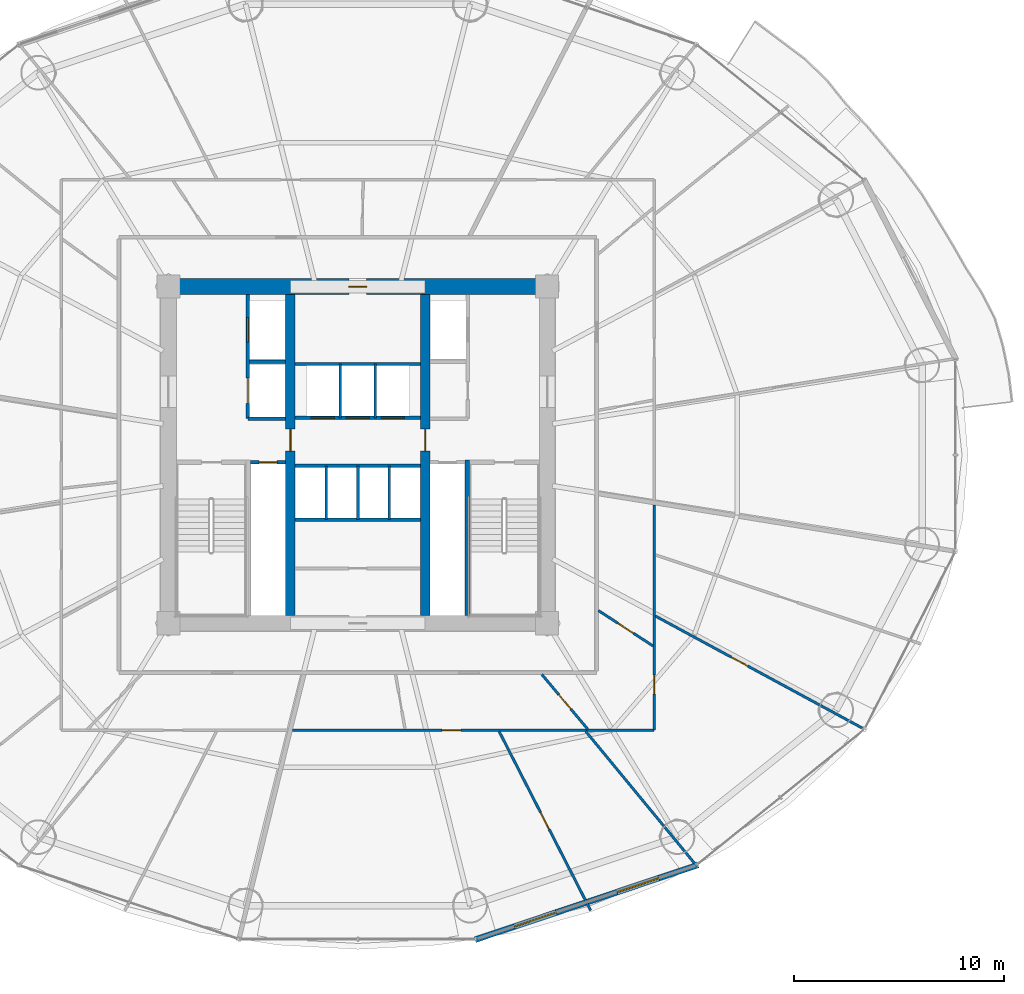
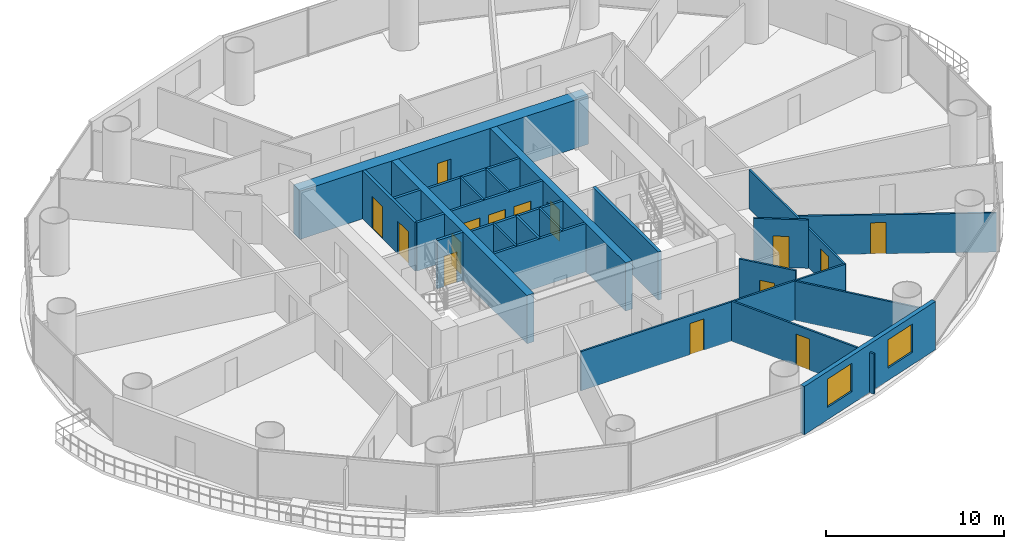
# One storey, part 24 of 30: 25 walls, 15 doors, 2 windows, 17 openings.
"""IFC4 building model written with IfcOpenShell, lengths in metres."""

import ifcopenshell
import ifcopenshell.guid

model = None  # the IFC model being written
_history = None  # IfcOwnerHistory: only IFC2X3 demands one
_inside = {}  # id of a spatial element -> (the spatial element, [elements in it])
_under = {}  # id of a project, library or spatial element -> (it, [spatial elements below it])
_declared = {}  # id of a project -> (the project, [libraries it declares])
_typed = {}  # id of a type object -> (the type object, [elements of that type])
_made_of = {}  # id of a material, layer set ... -> (it, [elements and type objects made of it])


def new_model(schema):
    """Start an empty IFC model of exactly this schema.

    Asked for "IFC4X3", IfcOpenShell would pick the latest addendum, in which some entities
    have other attributes; the version numbers below select the first issue.
    IFC2X3 requires an IfcOwnerHistory on every rooted entity: one is made here for all.
    """
    global model, _history
    if schema == "IFC4X3":
        model = ifcopenshell.file(schema_version=(4, 3, 0, 0))
    else:
        model = ifcopenshell.file(schema=schema)
    _inside.clear()
    _under.clear()
    _declared.clear()
    _typed.clear()
    _made_of.clear()
    _history = None
    if model.schema == "IFC2X3":
        org = make("IfcOrganization", Name="unknown")
        user = make(
            "IfcPersonAndOrganization",
            ThePerson=make("IfcPerson", FamilyName="unknown"),
            TheOrganization=org,
        )
        app = make(
            "IfcApplication",
            ApplicationDeveloper=org,
            Version="unknown",
            ApplicationFullName="unknown",
            ApplicationIdentifier="unknown",
        )
        _history = make(
            "IfcOwnerHistory",
            OwningUser=user,
            OwningApplication=app,
            ChangeAction="ADDED",
            CreationDate=0,
        )
    return model


def make(cls, **values):
    """One entity of the class cls with the attributes given. An attribute that is None is left unset."""
    return model.create_entity(
        cls, **{name: value for name, value in values.items() if value is not None}
    )


def rooted(cls, **values):
    """An entity with a GlobalId (a new one), such as an element, a storey or a relation."""
    return make(cls, GlobalId=ifcopenshell.guid.new(), OwnerHistory=_history, **values)


def si_unit(unit_type, name, prefix=None):
    """IfcSIUnit, for example si_unit("LENGTHUNIT", "METRE", prefix="MILLI")."""
    return make("IfcSIUnit", UnitType=unit_type, Prefix=prefix, Name=name)


def assignment(units):
    """IfcUnitAssignment: the units of a project."""
    return None if units is None else make("IfcUnitAssignment", Units=units)


def point(xyz):
    """IfcCartesianPoint."""
    return None if xyz is None else make("IfcCartesianPoint", Coordinates=xyz)


def direction(xyz):
    """IfcDirection."""
    return None if xyz is None else make("IfcDirection", DirectionRatios=xyz)


def frame(location, z_axis=None, x_axis=None):
    """IfcAxis2Placement3D, a coordinate frame: its origin and axes. An axis left out is left unset."""
    return make(
        "IfcAxis2Placement3D",
        Location=point(location),
        Axis=direction(z_axis),
        RefDirection=direction(x_axis),
    )


def frame_2d(location, x_axis=None):
    """IfcAxis2Placement2D, a coordinate frame in the plane: its origin and x axis."""
    return make(
        "IfcAxis2Placement2D", Location=point(location), RefDirection=direction(x_axis)
    )


def origin():
    """The frame at (0, 0, 0) with its axes left unset."""
    return frame((0.0, 0.0, 0.0))


def place(relative_to, where):
    """IfcLocalPlacement: puts the frame where relative to a parent placement (None: the world)."""
    return make(
        "IfcLocalPlacement", PlacementRelTo=relative_to, RelativePlacement=where
    )


def context(
    kind, dimensions, precision=None, world=None, true_north=None, identifier=None
):
    """IfcGeometricRepresentationContext, for example the 3D "Model" context."""
    return make(
        "IfcGeometricRepresentationContext",
        ContextIdentifier=identifier,
        ContextType=kind,
        CoordinateSpaceDimension=dimensions,
        Precision=precision,
        WorldCoordinateSystem=world,
        TrueNorth=true_north,
    )


def subcontext(parent, identifier, kind, view, scale=None):
    """IfcGeometricRepresentationSubContext, for example "Body" below "Model"."""
    return make(
        "IfcGeometricRepresentationSubContext",
        ContextIdentifier=identifier,
        ContextType=kind,
        ParentContext=parent,
        TargetScale=scale,
        TargetView=view,
    )


def project(units=None, contexts=None):
    """IfcProject with its units and contexts."""
    return rooted(
        "IfcProject",
        Name="project",
        RepresentationContexts=contexts,
        UnitsInContext=assignment(units),
    )


def spatial(cls, under=None, at=None, **own):
    """A site, building, storey or space (cls), placed at a placement, below another one or the project."""
    s = rooted(cls, ObjectPlacement=at, **own)
    if under is not None:
        _under.setdefault(under.id(), (under, []))[1].append(s)
    return s


def profile(cls, at=None, kind="AREA", **sizes):
    """A parametric profile (cls). Its sizes go by their IFC names, for example OverallWidth=200.0."""
    return make(cls, ProfileType=kind, Position=at, **sizes)


def rectangle(**sizes):
    """IfcRectangleProfileDef."""
    return profile("IfcRectangleProfileDef", **sizes)


def extrude(swept, where, along, depth):
    """IfcExtrudedAreaSolid: the profile swept, set in the frame where, extruded along a direction by depth."""
    return make(
        "IfcExtrudedAreaSolid",
        SweptArea=swept,
        Position=where,
        ExtrudedDirection=direction(along),
        Depth=depth,
    )


def shape(context_of_items, identifier, shape_type, items):
    """IfcShapeRepresentation: the items that make up one representation, for example the "Body"."""
    return make(
        "IfcShapeRepresentation",
        ContextOfItems=context_of_items,
        RepresentationIdentifier=identifier,
        RepresentationType=shape_type,
        Items=items,
    )


def source(mapping_origin, context_of_items, identifier, shape_type, items):
    """IfcRepresentationMap: a shape defined once, which mapped items show again and again."""
    return make(
        "IfcRepresentationMap",
        MappingOrigin=mapping_origin,
        MappedRepresentation=shape(context_of_items, identifier, shape_type, items),
    )


def transform(
    local_origin,
    x_axis=None,
    y_axis=None,
    z_axis=None,
    scale=None,
    scale2=None,
    scale3=None,
    uniform=True,
):
    """IfcCartesianTransformationOperator3D, or its non-uniform kind. x_axis, y_axis, z_axis: its Axis1, 2, 3."""
    if uniform:
        return make(
            "IfcCartesianTransformationOperator3D",
            Axis1=direction(x_axis),
            Axis2=direction(y_axis),
            LocalOrigin=point(local_origin),
            Scale=scale,
            Axis3=direction(z_axis),
        )
    return make(
        "IfcCartesianTransformationOperator3DnonUniform",
        Axis1=direction(x_axis),
        Axis2=direction(y_axis),
        LocalOrigin=point(local_origin),
        Scale=scale,
        Axis3=direction(z_axis),
        Scale2=scale2,
        Scale3=scale3,
    )


def mapped(mapping_source, mapping_target):
    """IfcMappedItem: shows the shape of a source again, moved by a transform."""
    return make(
        "IfcMappedItem", MappingSource=mapping_source, MappingTarget=mapping_target
    )


def material(Name=None, Category=None):
    """IfcMaterial."""
    return make("IfcMaterial", Name=Name, Category=Category)


def layer(
    of_material, thickness, ventilated=None, Name=None, Category=None, Priority=None
):
    """IfcMaterialLayer: one layer of a wall or slab, of a material (None: an air gap)."""
    return make(
        "IfcMaterialLayer",
        Material=of_material,
        LayerThickness=thickness,
        IsVentilated=ventilated,
        Name=Name,
        Category=Category,
        Priority=Priority,
    )


def layer_set(layers, Name=None):
    """IfcMaterialLayerSet."""
    return make("IfcMaterialLayerSet", MaterialLayers=layers, LayerSetName=Name)


def made_of(thing, what):
    """Note that an element or type object is made of a material, layer set ...; save() writes the relation."""
    if what is not None:
        _made_of.setdefault(what.id(), (what, []))[1].append(thing)
    return thing


def type_object(cls, material=None, **own):
    """A type object (cls), such as IfcWallType, which elements share."""
    return made_of(rooted(cls, **own), material)


def element(
    cls,
    number,
    at=None,
    inside=None,
    cuts=None,
    type_object=None,
    material=None,
    context=None,
    identifier="Body",
    shape_type=None,
    held_by="IfcProductDefinitionShape",
    body=None,
    shapes=None,
    **own,
):
    """One element of the class cls, such as IfcWall. Its Tag is "e" and its number.

    at: its placement. inside: the storey or other place that contains it. cuts: it is an
    opening in that element (IfcRelVoidsElement). A single representation is given by context,
    identifier, shape_type and body (its items); several are given by shapes. held_by: the class
    of the entity that holds the representations. save() writes the other relations.
    """
    e = rooted(cls, Tag="e%d" % number, ObjectPlacement=at, **own)
    if body is not None:
        shapes = [shape(context, identifier, shape_type, body)]
    if shapes is not None:
        e.Representation = make(held_by, Representations=shapes)
    if inside is not None:
        _inside.setdefault(inside.id(), (inside, []))[1].append(e)
    if cuts is not None:
        rooted(
            "IfcRelVoidsElement", RelatingBuildingElement=cuts, RelatedOpeningElement=e
        )
    if type_object is not None:
        _typed.setdefault(type_object.id(), (type_object, []))[1].append(e)
    return made_of(e, material)


def fill(opening, filler):
    """IfcRelFillsElement: the door or window that sits in an opening."""
    return rooted(
        "IfcRelFillsElement",
        RelatingOpeningElement=opening,
        RelatedBuildingElement=filler,
    )


def aggregate(whole, parts):
    """IfcRelAggregates: a whole, such as a stair, and the parts it consists of."""
    return rooted("IfcRelAggregates", RelatingObject=whole, RelatedObjects=parts)


def save(model, path):
    """Write the relations noted so far, then the file.

    IfcRelAggregates (storeys below a building ...), IfcRelContainedInSpatialStructure (elements
    in a storey), IfcRelDefinesByType, IfcRelAssociatesMaterial and IfcRelDeclares: one each for
    every whole, place, type object, material and project.
    """
    for whole, parts in _under.values():
        aggregate(whole, parts)
    for where, things in _inside.values():
        rooted(
            "IfcRelContainedInSpatialStructure",
            RelatedElements=things,
            RelatingStructure=where,
        )
    for kind, things in _typed.values():
        rooted("IfcRelDefinesByType", RelatedObjects=things, RelatingType=kind)
    for what, things in _made_of.values():
        rooted("IfcRelAssociatesMaterial", RelatedObjects=things, RelatingMaterial=what)
    for by, libraries in _declared.values():
        rooted("IfcRelDeclares", RelatingContext=by, RelatedDefinitions=libraries)
    model.write(path)


model = new_model("IFC4")

# Units and contexts
model_context = context("Model", 3, precision=1e-05, world=origin(), true_north=direction((-0.2419218956, 0.970295726276)))
body_context = subcontext(model_context, "Body", "Model", "MODEL_VIEW")
ifc_project = project(units=[si_unit("LENGTHUNIT", "METRE"), si_unit("AREAUNIT", "SQUARE_METRE"), si_unit("VOLUMEUNIT", "CUBIC_METRE"), si_unit("PLANEANGLEUNIT", "RADIAN"), si_unit("MASSUNIT", "GRAM", prefix="KILO")], contexts=[model_context])

# Site, building, storey
site_placement = place(None, origin())
site = spatial("IfcSite", under=ifc_project, at=site_placement, CompositionType="ELEMENT")
building_placement = place(site_placement, origin())
building = spatial("IfcBuilding", under=site, at=building_placement, Name="Cobrevalo Terracotta Tower", CompositionType="ELEMENT")
storey_placement = place(building_placement, frame((0.0, 0.0, 27.60009765625)))
storey = spatial("IfcBuildingStorey", under=building, at=storey_placement, Name="L06", CompositionType="ELEMENT", Elevation=27.60009765625)

# Wall, opening, door
ifc_material_1 = material(Name="Concrete C60", Category="concrete")
ifc_layer_1 = layer(ifc_material_1, 0.75)
ifc_layer_set_1 = layer_set([ifc_layer_1], Name="Concrete C60")
wall_type_1 = type_object("IfcWallType", Name="Core shear wall 750 mm Concrete C60", PredefinedType="SHEAR", material=ifc_layer_set_1)
wall_1_placement = place(storey_placement, frame((28.625, 34.800048828125, 0.0), z_axis=(0.0, 0.0, 1.0), x_axis=(1.0, 0.0, 0.0)))
wall_1 = element("IfcWall", 1, at=wall_1_placement, inside=storey, type_object=wall_type_1, Name="L06 north core shear wall", PredefinedType="SHEAR", context=body_context, shape_type="SweptSolid", body=[
    extrude(rectangle(XDim=18.75, YDim=0.75, at=frame_2d((9.375, 0.0))), origin(), (0.0, 0.0, 1.0), 3.31982421875),
])
opening_1_placement = place(wall_1_placement, frame((8.949951171875, 0.0, 0.0)))
opening_1 = element("IfcOpeningElement", 2, at=opening_1_placement, cuts=wall_1, Name="Opening ID-22", PredefinedType="OPENING", context=body_context, shape_type="SweptSolid", body=[
    extrude(rectangle(XDim=0.85009765625, YDim=2.10009765625, at=frame_2d((0.425048828125, 1.050048828125))), frame((0.0, 0.385009765625, 0.0), z_axis=(0.0, -1.0, 0.0), x_axis=(1.0, 0.0, 0.0)), (0.0, 0.0, 1.0), 0.77001953125),
])
ifc_material_2 = material(Name="Powder-coated steel", Category="steel")
door_type_1 = type_object("IfcDoorType", Name="Riser shaft & meter closet fire access door 850x2100 EI 60", OperationType="NOTDEFINED", PredefinedType="DOOR", material=ifc_material_2)
shared_shape_1 = source(origin(), body_context, "Body", "SweptSolid", [
    extrude(rectangle(XDim=0.85009765625, YDim=2.10009765625, at=frame_2d((0.425048828125, 1.050048828125))), frame((0.0, 0.02490234375, 0.0), z_axis=(0.0, -1.0, 0.0), x_axis=(1.0, 0.0, 0.0)), (0.0, 0.0, 1.0), 0.050048828125),
])
door_1_placement = place(opening_1_placement, frame((0.85009765625, 0.0, 0.0), z_axis=(0.0, 0.0, 1.0), x_axis=(-1.0, 0.0, 0.0)))
door_1 = element("IfcDoor", 3, at=door_1_placement, inside=storey, type_object=door_type_1, Name="L06 core north service door Floor Electrical Switchroom", OperationType="SINGLE_SWING_LEFT", OverallHeight=2.10009765625, OverallWidth=0.85009765625, PredefinedType="DOOR", context=body_context, shape_type="MappedRepresentation", body=[
    mapped(shared_shape_1, transform((0.0, 0.0, 0.0), scale=1.0)),
])
fill(opening_1, door_1)

# Walls
ifc_material_3 = material(Name="Gypsum board on steel stud", Category="steel")
ifc_layer_2 = layer(ifc_material_3, 0.159912109375)
ifc_layer_set_2 = layer_set([ifc_layer_2], Name="Gypsum board on steel stud")
wall_type_2 = type_object("IfcWallType", Name="Fire-rated corridor acoustic partition wall 160 mm", PredefinedType="PARTITIONING", material=ifc_layer_set_2)
wall_2_placement = place(storey_placement, frame((32.860107421875, 31.219970703125, 0.0), z_axis=(0.0, 0.0, 1.0), x_axis=(1.0, 0.0, 0.0)))
element("IfcWall", 4, at=wall_2_placement, inside=storey, type_object=wall_type_2, Name="L06 interior partition IW-L06-FF1-M", PredefinedType="PARTITIONING", context=body_context, shape_type="SweptSolid", body=[
    extrude(rectangle(XDim=1.71484375, YDim=0.159912109375, at=frame_2d((0.857421875, 0.0))), origin(), (0.0, 0.0, 1.0), 3.31982421875),
])
wall_3_placement = place(storey_placement, frame((32.77001953125, 28.52001953125, 0.0), z_axis=(0.0, 0.0, 1.0), x_axis=(1.0, 0.0, 0.0)))
element("IfcWall", 5, at=wall_3_placement, inside=storey, type_object=wall_type_2, Name="L06 interior partition IW-L06-FF1-S", PredefinedType="PARTITIONING", context=body_context, shape_type="SweptSolid", body=[
    extrude(rectangle(XDim=1.804931640625, YDim=0.159912109375, at=frame_2d((0.90234375, 0.0))), origin(), (0.0, 0.0, 1.0), 3.31982421875),
])

# Wall, openings, doors
wall_4_placement = place(storey_placement, frame((35.02490234375, 28.56005859375, 0.0), z_axis=(0.0, 0.0, 1.0), x_axis=(1.0, 0.0, 0.0)))
wall_4 = element("IfcWall", 6, at=wall_4_placement, inside=storey, type_object=wall_type_2, Name="L06 interior partition IW-L06-LB-S", PredefinedType="PARTITIONING", context=body_context, shape_type="SweptSolid", body=[
    extrude(rectangle(XDim=5.9501953125, YDim=0.159912109375, at=frame_2d((2.97509765625, 0.0))), origin(), (0.0, 0.0, 1.0), 3.31982421875),
])
opening_2_placement = place(wall_4_placement, frame((0.760009765625, 0.0, 0.0)))
opening_2 = element("IfcOpeningElement", 7, at=opening_2_placement, cuts=wall_4, Name="Opening LD-01", PredefinedType="OPENING", context=body_context, shape_type="SweptSolid", body=[
    extrude(rectangle(XDim=1.10009765625, YDim=2.199951171875, at=frame_2d((0.550048828125, 1.10009765625))), frame((0.0, 0.08984375, 0.0), z_axis=(0.0, -1.0, 0.0), x_axis=(1.0, 0.0, 0.0)), (0.0, 0.0, 1.0), 0.179931640625),
])
opening_3_placement = place(wall_4_placement, frame((2.425048828125, 0.0, 0.0)))
opening_3 = element("IfcOpeningElement", 8, at=opening_3_placement, cuts=wall_4, Name="Opening LD-01", PredefinedType="OPENING", context=body_context, shape_type="SweptSolid", body=[
    extrude(rectangle(XDim=1.10009765625, YDim=2.199951171875, at=frame_2d((0.550048828125, 1.10009765625))), frame((0.0, 0.08984375, 0.0), z_axis=(0.0, -1.0, 0.0), x_axis=(1.0, 0.0, 0.0)), (0.0, 0.0, 1.0), 0.179931640625),
])
opening_4_placement = place(wall_4_placement, frame((4.090087890625, 0.0, 0.0)))
opening_4 = element("IfcOpeningElement", 9, at=opening_4_placement, cuts=wall_4, Name="Opening LD-01", PredefinedType="OPENING", context=body_context, shape_type="SweptSolid", body=[
    extrude(rectangle(XDim=1.10009765625, YDim=2.199951171875, at=frame_2d((0.550048828125, 1.10009765625))), frame((0.0, 0.08984375, 0.0), z_axis=(0.0, -1.0, 0.0), x_axis=(1.0, 0.0, 0.0)), (0.0, 0.0, 1.0), 0.179931640625),
])
ifc_material_4 = material(Name="Brushed stainless steel", Category="steel")
door_type_2 = type_object("IfcDoorType", Name="Passenger lift landing bi-parting sliding door 1100x2200 EI 90", OperationType="DOUBLE_DOOR_SLIDING", PredefinedType="DOOR", material=ifc_material_4)
shared_shape_2 = source(origin(), body_context, "Body", "SweptSolid", [
    extrude(rectangle(XDim=1.10009765625, YDim=2.199951171875, at=frame_2d((0.550048828125, 1.10009765625))), frame((0.0, 0.02490234375, 0.0), z_axis=(0.0, -1.0, 0.0), x_axis=(1.0, 0.0, 0.0)), (0.0, 0.0, 1.0), 0.050048828125),
])
door_2_placement = place(opening_2_placement, origin())
door_2 = element("IfcDoor", 10, at=door_2_placement, inside=storey, type_object=door_type_2, Name="L06 lift landing door PL-L1", OperationType="DOUBLE_DOOR_SLIDING", OverallHeight=2.199951171875, OverallWidth=1.10009765625, PredefinedType="DOOR", context=body_context, shape_type="MappedRepresentation", body=[
    mapped(shared_shape_2, transform((0.0, 0.0, 0.0), scale=1.0)),
])
fill(opening_2, door_2)
door_3_placement = place(opening_3_placement, origin())
door_3 = element("IfcDoor", 11, at=door_3_placement, inside=storey, type_object=door_type_2, Name="L06 lift landing door PL-L2", OperationType="DOUBLE_DOOR_SLIDING", OverallHeight=2.199951171875, OverallWidth=1.10009765625, PredefinedType="DOOR", context=body_context, shape_type="MappedRepresentation", body=[
    mapped(shared_shape_2, transform((0.0, 0.0, 0.0), scale=1.0)),
])
fill(opening_3, door_3)
door_4_placement = place(opening_4_placement, origin())
door_4 = element("IfcDoor", 12, at=door_4_placement, inside=storey, type_object=door_type_2, Name="L06 lift landing door PL-L3", OperationType="DOUBLE_DOOR_SLIDING", OverallHeight=2.199951171875, OverallWidth=1.10009765625, PredefinedType="DOOR", context=body_context, shape_type="MappedRepresentation", body=[
    mapped(shared_shape_2, transform((0.0, 0.0, 0.0), scale=1.0)),
])
fill(opening_4, door_4)

# Walls
for number, where, z_axis, x_axis, name in (
    (13, (35.02490234375, 31.1201171875, 0.0), (0.0, 0.0, 1.0), (1.0, 0.0, 0.0), "L06 interior partition IW-L06-LB-N"),
    (14, (35.02490234375, 26.280029296875, 0.0), (0.0, 0.0, 1.0), (1.0, 0.0, 0.0), "L06 interior partition IW-L06-MB-N"),
    (15, (35.02490234375, 23.719970703125, 0.0), (0.0, 0.0, 1.0), (1.0, 0.0, 0.0), "L06 interior partition IW-L06-MB-S"),
):
    element("IfcWall", number, at=place(storey_placement, frame(where, z_axis=z_axis, x_axis=x_axis)), inside=storey, type_object=wall_type_2, Name=name, PredefinedType="PARTITIONING", context=body_context, shape_type="SweptSolid", body=[
        extrude(rectangle(XDim=5.9501953125, YDim=0.159912109375, at=frame_2d((2.97509765625, 0.0))), origin(), (0.0, 0.0, 1.0), 3.31982421875),
    ])

# Wall, opening, door
ifc_layer_3 = layer(ifc_material_3, 0.179931640625)
ifc_layer_set_3 = layer_set([ifc_layer_3], Name="Gypsum board on steel stud")
wall_type_3 = type_object("IfcWallType", Name="Fire-rated shaft & lobby acoustic partition wall 180 mm", PredefinedType="PARTITIONING", material=ifc_layer_set_3)
wall_5_placement = place(storey_placement, frame((32.89990234375, 26.449951171875, 0.0), z_axis=(0.0, 0.0, 1.0), x_axis=(1.0, 0.0, 0.0)))
wall_5 = element("IfcWall", 16, at=wall_5_placement, inside=storey, type_object=wall_type_3, Name="L06 interior partition IW-L06-RSW-N", PredefinedType="PARTITIONING", context=body_context, shape_type="SweptSolid", body=[
    extrude(rectangle(XDim=1.675048828125, YDim=0.179931640625, at=frame_2d((0.83740234375, 0.0))), origin(), (0.0, 0.0, 1.0), 3.31982421875),
])
opening_5_placement = place(wall_5_placement, frame((0.41259765625, 0.0, 0.0)))
opening_5 = element("IfcOpeningElement", 17, at=opening_5_placement, cuts=wall_5, Name="Opening ID-22", PredefinedType="OPENING", context=body_context, shape_type="SweptSolid", body=[
    extrude(rectangle(XDim=0.85009765625, YDim=2.10009765625, at=frame_2d((0.425048828125, 1.050048828125))), frame((0.0, 0.10009765625, 0.0), z_axis=(0.0, -1.0, 0.0), x_axis=(1.0, 0.0, 0.0)), (0.0, 0.0, 1.0), 0.199951171875),
])
door_5_placement = place(opening_5_placement, origin())
door_5 = element("IfcDoor", 18, at=door_5_placement, inside=storey, type_object=door_type_1, Name="L06 riser access door RSW", OperationType="SINGLE_SWING_LEFT", OverallHeight=2.10009765625, OverallWidth=0.85009765625, PredefinedType="DOOR", context=body_context, shape_type="MappedRepresentation", body=[
    mapped(shared_shape_1, transform((0.0, 0.0, 0.0), scale=1.0)),
])
fill(opening_5, door_5)

# Wall, openings, doors
wall_6_placement = place(storey_placement, frame((32.77001953125, 28.52001953125, 0.0), z_axis=(0.0, 0.0, 1.0), x_axis=(0.0, 1.0, 0.0)))
wall_6 = element("IfcWall", 19, at=wall_6_placement, inside=storey, type_object=wall_type_3, Name="L06 interior partition IW-L06-FF1-W", PredefinedType="PARTITIONING", context=body_context, shape_type="SweptSolid", body=[
    extrude(rectangle(XDim=5.905029296875, YDim=0.179931640625, at=frame_2d((2.95263671875, 0.0))), origin(), (0.0, 0.0, 1.0), 3.31982421875),
])
opening_6_placement = place(wall_6_placement, frame((3.655029296875, 0.0, 0.0)))
opening_6 = element("IfcOpeningElement", 20, at=opening_6_placement, cuts=wall_6, Name="Opening LD-02", PredefinedType="OPENING", context=body_context, shape_type="SweptSolid", body=[
    extrude(rectangle(XDim=1.14990234375, YDim=2.199951171875, at=frame_2d((0.574951171875, 1.10009765625))), frame((0.0, 0.10009765625, 0.0), z_axis=(0.0, -1.0, 0.0), x_axis=(1.0, 0.0, 0.0)), (0.0, 0.0, 1.0), 0.199951171875),
])
opening_7_placement = place(wall_6_placement, frame((0.72998046875, 0.0, 0.0)))
opening_7 = element("IfcOpeningElement", 21, at=opening_7_placement, cuts=wall_6, Name="Opening LD-03", PredefinedType="OPENING", context=body_context, shape_type="SweptSolid", body=[
    extrude(rectangle(XDim=1.199951171875, YDim=2.25, at=frame_2d((0.60009765625, 1.125))), frame((0.0, 0.10009765625, 0.0), z_axis=(0.0, -1.0, 0.0), x_axis=(1.0, 0.0, 0.0)), (0.0, 0.0, 1.0), 0.199951171875),
])
door_type_3 = type_object("IfcDoorType", Name="Firefighting lift landing bi-parting sliding door 1150x2200 EI 120", OperationType="DOUBLE_DOOR_SLIDING", PredefinedType="DOOR", material=ifc_material_4)
shared_shape_3 = source(origin(), body_context, "Body", "SweptSolid", [
    extrude(rectangle(XDim=1.14990234375, YDim=2.199951171875, at=frame_2d((0.574951171875, 1.10009765625))), frame((0.0, 0.02490234375, 0.0), z_axis=(0.0, -1.0, 0.0), x_axis=(1.0, 0.0, 0.0)), (0.0, 0.0, 1.0), 0.050048828125),
])
door_6_placement = place(opening_6_placement, origin())
door_6 = element("IfcDoor", 22, at=door_6_placement, inside=storey, type_object=door_type_3, Name="L06 lift landing door FF-1", OperationType="DOUBLE_DOOR_SLIDING", OverallHeight=2.199951171875, OverallWidth=1.14990234375, PredefinedType="DOOR", context=body_context, shape_type="MappedRepresentation", body=[
    mapped(shared_shape_3, transform((0.0, 0.0, 0.0), scale=1.0)),
])
fill(opening_6, door_6)
door_type_4 = type_object("IfcDoorType", Name="Service lift landing bi-parting sliding door 1200x2250 EI 120", OperationType="DOUBLE_DOOR_SLIDING", PredefinedType="DOOR", material=ifc_material_4)
shared_shape_4 = source(origin(), body_context, "Body", "SweptSolid", [
    extrude(rectangle(XDim=1.199951171875, YDim=2.25, at=frame_2d((0.60009765625, 1.125))), frame((0.0, 0.02490234375, 0.0), z_axis=(0.0, -1.0, 0.0), x_axis=(1.0, 0.0, 0.0)), (0.0, 0.0, 1.0), 0.050048828125),
])
door_7_placement = place(opening_7_placement, origin())
door_7 = element("IfcDoor", 23, at=door_7_placement, inside=storey, type_object=door_type_4, Name="L06 lift landing door SV-1", OperationType="DOUBLE_DOOR_SLIDING", OverallHeight=2.25, OverallWidth=1.199951171875, PredefinedType="DOOR", context=body_context, shape_type="MappedRepresentation", body=[
    mapped(shared_shape_4, transform((0.0, 0.0, 0.0), scale=1.0)),
])
fill(opening_7, door_7)

# Walls
ifc_material_5 = material(Name="Autoclaved aerated concrete block", Category="concrete")
ifc_layer_4 = layer(ifc_material_5, 0.1201171875)
ifc_layer_set_4 = layer_set([ifc_layer_4], Name="Autoclaved aerated concrete block")
wall_type_4 = type_object("IfcWallType", Name="Fire-rated wet-room & core service partition 120 mm", PredefinedType="PARTITIONING", material=ifc_layer_set_4)
for number, where, z_axis, x_axis, name in (
    (24, (37.169921875, 28.56005859375, 0.0), (0.0, 0.0, 1.0), (0.0, 1.0, 0.0), "L06 interior partition IW-L06-LB-D1"),
    (25, (38.830078125, 28.56005859375, 0.0), (0.0, 0.0, 1.0), (0.0, 1.0, 0.0), "L06 interior partition IW-L06-LB-D2"),
    (26, (36.5, 23.719970703125, 0.0), (0.0, 0.0, 1.0), (0.0, 1.0, 0.0), "L06 interior partition IW-L06-MB-D1"),
    (27, (39.5, 23.719970703125, 0.0), (0.0, 0.0, 1.0), (0.0, 1.0, 0.0), "L06 interior partition IW-L06-MB-D3"),
):
    element("IfcWall", number, at=place(storey_placement, frame(where, z_axis=z_axis, x_axis=x_axis)), inside=storey, type_object=wall_type_4, Name=name, PredefinedType="PARTITIONING", context=body_context, shape_type="SweptSolid", body=[
        extrude(rectangle(XDim=2.56005859375, YDim=0.1201171875, at=frame_2d((1.280029296875, 0.0))), origin(), (0.0, 0.0, 1.0), 3.31982421875),
    ])

# Wall, openings, windows
ifc_layer_5 = layer(ifc_material_5, 0.280029296875)
ifc_layer_set_5 = layer_set([ifc_layer_5], Name="Autoclaved aerated concrete block")
wall_type_5 = type_object("IfcWallType", Name="Insulated tower spandrel & pier wall 280 mm with terracotta rainscreen", PredefinedType="SOLIDWALL", material=ifc_layer_set_5)
wall_7_placement = place(storey_placement, frame((43.575927734375, 3.755615234375, 0.0), z_axis=(0.0, 0.0, 1.0), x_axis=(0.948047847546, 0.31812777113, 0.0)))
wall_7 = element("IfcWall", 28, at=wall_7_placement, inside=storey, type_object=wall_type_5, Name="L06 terracotta rainscreen pier wall S13", PredefinedType="SOLIDWALL", context=body_context, shape_type="SweptSolid", body=[
    extrude(rectangle(XDim=11.17529296875, YDim=0.280029296875, at=frame_2d((5.587646484375, 0.0))), origin(), (0.0, 0.0, 1.0), 3.31982421875),
])
opening_8_placement = place(wall_7_placement, frame((1.96728515625, 0.0, 0.85009765625)))
opening_8 = element("IfcOpeningElement", 29, at=opening_8_placement, cuts=wall_7, Name="Opening WN-10", PredefinedType="OPENING", context=body_context, shape_type="SweptSolid", body=[
    extrude(rectangle(XDim=2.10009765625, YDim=1.949951171875, at=frame_2d((1.050048828125, 0.97509765625))), frame((0.0, 0.14990234375, 0.0), z_axis=(0.0, -1.0, 0.0), x_axis=(1.0, 0.0, 0.0)), (0.0, 0.0, 1.0), 0.300048828125),
])
opening_9_placement = place(wall_7_placement, frame((7.108154296875, 0.0, 0.85009765625)))
opening_9 = element("IfcOpeningElement", 30, at=opening_9_placement, cuts=wall_7, Name="Opening WN-10", PredefinedType="OPENING", context=body_context, shape_type="SweptSolid", body=[
    extrude(rectangle(XDim=2.10009765625, YDim=1.949951171875, at=frame_2d((1.050048828125, 0.97509765625))), frame((0.0, 0.14990234375, 0.0), z_axis=(0.0, -1.0, 0.0), x_axis=(1.0, 0.0, 0.0)), (0.0, 0.0, 1.0), 0.300048828125),
])
ifc_material_6 = material(Name="Solar-control low-E double glazing", Category="glass")
window_type = type_object("IfcWindowType", Name="Wide panoramic low-E aluminium window 2100x1950", PartitioningType="SINGLE_PANEL", PredefinedType="WINDOW", material=ifc_material_6)
shared_shape_5 = source(origin(), body_context, "Body", "SweptSolid", [
    extrude(rectangle(XDim=2.10009765625, YDim=1.949951171875, at=frame_2d((1.050048828125, 0.97509765625))), frame((0.0, 0.030029296875, 0.0), z_axis=(0.0, -1.0, 0.0), x_axis=(1.0, 0.0, 0.0)), (0.0, 0.0, 1.0), 0.06005859375),
])
window_1_placement = place(opening_8_placement, origin())
window_1 = element("IfcWindow", 31, at=window_1_placement, inside=storey, type_object=window_type, Name="L06 suite window S13A", OverallHeight=1.949951171875, OverallWidth=2.10009765625, PartitioningType="SINGLE_PANEL", PredefinedType="WINDOW", context=body_context, shape_type="MappedRepresentation", body=[
    mapped(shared_shape_5, transform((0.0, 0.0, 0.0), scale=1.0)),
])
fill(opening_8, window_1)
window_2_placement = place(opening_9_placement, origin())
window_2 = element("IfcWindow", 32, at=window_2_placement, inside=storey, type_object=window_type, Name="L06 suite window S13B", OverallHeight=1.949951171875, OverallWidth=2.10009765625, PartitioningType="SINGLE_PANEL", PredefinedType="WINDOW", context=body_context, shape_type="MappedRepresentation", body=[
    mapped(shared_shape_5, transform((0.0, 0.0, 0.0), scale=1.0)),
])
fill(opening_9, window_2)

# Wall, opening, door
ifc_material_7 = material(Name="Concrete C55", Category="concrete")
ifc_layer_6 = layer(ifc_material_7, 0.449951171875)
ifc_layer_set_6 = layer_set([ifc_layer_6], Name="Concrete C55")
wall_type_6 = type_object("IfcWallType", Name="Internal core shear web wall 450 mm Concrete C55", PredefinedType="SHEAR", material=ifc_layer_set_6)
wall_8_placement = place(storey_placement, frame((34.800048828125, 19.175048828125, 0.0), z_axis=(0.0, 0.0, 1.0), x_axis=(0.0, 1.0, 0.0)))
wall_8 = element("IfcWall", 33, at=wall_8_placement, inside=storey, type_object=wall_type_6, Name="L06 internal core shear wall WEB-W", PredefinedType="SHEAR", context=body_context, shape_type="SweptSolid", body=[
    extrude(rectangle(XDim=15.25, YDim=0.449951171875, at=frame_2d((7.625, 0.0))), origin(), (0.0, 0.0, 1.0), 3.31982421875),
])
opening_10_placement = place(wall_8_placement, frame((7.800048828125, 0.0, 0.0)))
opening_10 = element("IfcOpeningElement", 34, at=opening_10_placement, cuts=wall_8, Name="Opening ID-11", PredefinedType="OPENING", context=body_context, shape_type="SweptSolid", body=[
    extrude(rectangle(XDim=1.050048828125, YDim=2.14990234375, at=frame_2d((0.52490234375, 1.074951171875))), frame((0.0, 0.23486328125, 0.0), z_axis=(0.0, -1.0, 0.0), x_axis=(1.0, 0.0, 0.0)), (0.0, 0.0, 1.0), 0.469970703125),
])
ifc_material_8 = material(Name="Galvanized fire-rated steel", Category="steel")
door_type_5 = type_object("IfcDoorType", Name="Core concourse cross fire door 1050x2150 EI 90", OperationType="NOTDEFINED", PredefinedType="DOOR", material=ifc_material_8)
shared_shape_6 = source(origin(), body_context, "Body", "SweptSolid", [
    extrude(rectangle(XDim=1.050048828125, YDim=2.14990234375, at=frame_2d((0.52490234375, 1.074951171875))), frame((0.0, 0.02490234375, 0.0), z_axis=(0.0, -1.0, 0.0), x_axis=(1.0, 0.0, 0.0)), (0.0, 0.0, 1.0), 0.050048828125),
])
door_8_placement = place(opening_10_placement, origin())
door_8 = element("IfcDoor", 35, at=door_8_placement, inside=storey, type_object=door_type_5, Name="L06 west core concourse cross door", OperationType="SINGLE_SWING_LEFT", OverallHeight=2.14990234375, OverallWidth=1.050048828125, PredefinedType="DOOR", context=body_context, shape_type="MappedRepresentation", body=[
    mapped(shared_shape_6, transform((0.0, 0.0, 0.0), scale=1.0)),
])
fill(opening_10, door_8)

wall_9_placement = place(storey_placement, frame((41.199951171875, 19.175048828125, 0.0), z_axis=(0.0, 0.0, 1.0), x_axis=(0.0, 1.0, 0.0)))
wall_9 = element("IfcWall", 36, at=wall_9_placement, inside=storey, type_object=wall_type_6, Name="L06 internal core shear wall WEB-E", PredefinedType="SHEAR", context=body_context, shape_type="SweptSolid", body=[
    extrude(rectangle(XDim=15.25, YDim=0.449951171875, at=frame_2d((7.625, 0.0))), origin(), (0.0, 0.0, 1.0), 3.31982421875),
])
opening_11_placement = place(wall_9_placement, frame((7.800048828125, 0.0, 0.0)))
opening_11 = element("IfcOpeningElement", 37, at=opening_11_placement, cuts=wall_9, Name="Opening ID-11", PredefinedType="OPENING", context=body_context, shape_type="SweptSolid", body=[
    extrude(rectangle(XDim=1.050048828125, YDim=2.14990234375, at=frame_2d((0.52490234375, 1.074951171875))), frame((0.0, 0.23486328125, 0.0), z_axis=(0.0, -1.0, 0.0), x_axis=(1.0, 0.0, 0.0)), (0.0, 0.0, 1.0), 0.469970703125),
])
door_9_placement = place(opening_11_placement, frame((1.050048828125, 0.0, 0.0), z_axis=(0.0, 0.0, 1.0), x_axis=(-1.0, 0.0, 0.0)))
door_9 = element("IfcDoor", 38, at=door_9_placement, inside=storey, type_object=door_type_5, Name="L06 east core concourse cross door", OperationType="SINGLE_SWING_RIGHT", OverallHeight=2.14990234375, OverallWidth=1.050048828125, PredefinedType="DOOR", context=body_context, shape_type="MappedRepresentation", body=[
    mapped(shared_shape_6, transform((0.0, 0.0, 0.0), scale=1.0)),
])
fill(opening_11, door_9)

# Wall
ifc_layer_7 = layer(ifc_material_5, 0.139892578125)
ifc_layer_set_7 = layer_set([ifc_layer_7], Name="Autoclaved aerated concrete block")
wall_type_7 = type_object("IfcWallType", Name="Moisture-resistant wet-room & core service partition 140 mm", PredefinedType="PARTITIONING", material=ifc_layer_set_7)
wall_10_placement = place(storey_placement, frame((38.0, 23.719970703125, 0.0), z_axis=(0.0, 0.0, 1.0), x_axis=(0.0, 1.0, 0.0)))
element("IfcWall", 39, at=wall_10_placement, inside=storey, type_object=wall_type_7, Name="L06 interior partition IW-L06-MB-D2", PredefinedType="PARTITIONING", context=body_context, shape_type="SweptSolid", body=[
    extrude(rectangle(XDim=2.56005859375, YDim=0.139892578125, at=frame_2d((1.280029296875, 0.0))), origin(), (0.0, 0.0, 1.0), 3.31982421875),
])

# Wall, opening, door
ifc_layer_8 = layer(ifc_material_3, 0.1201171875)
ifc_layer_set_8 = layer_set([ifc_layer_8], Name="Gypsum board on steel stud")
wall_type_8 = type_object("IfcWallType", Name="Residential internal acoustic stud partition 120 mm", PredefinedType="PARTITIONING", material=ifc_layer_set_8)
wall_11_placement = place(storey_placement, frame((52.0849609375, 24.427734375, 0.0), z_axis=(0.0, 0.0, 1.0), x_axis=(0.0, -1.0, 0.0)))
wall_11 = element("IfcWall", 40, at=wall_11_placement, inside=storey, type_object=wall_type_8, Name="L06 interior partition IW-L06-U4-RING0_0", PredefinedType="PARTITIONING", context=body_context, shape_type="SweptSolid", body=[
    extrude(rectangle(XDim=10.712646484375, YDim=0.1201171875, at=frame_2d((5.3564453125, 0.0))), origin(), (0.0, 0.0, 1.0), 2.68798828125),
])
opening_12_placement = place(wall_11_placement, frame((8.093505859375, 0.0, 0.0)))
opening_12 = element("IfcOpeningElement", 41, at=opening_12_placement, cuts=wall_11, Name="Opening ID-12", PredefinedType="OPENING", context=body_context, shape_type="SweptSolid", body=[
    extrude(rectangle(XDim=0.89990234375, YDim=2.14990234375, at=frame_2d((0.449951171875, 1.074951171875))), frame((0.0, 0.070068359375, 0.0), z_axis=(0.0, -1.0, 0.0), x_axis=(1.0, 0.0, 0.0)), (0.0, 0.0, 1.0), 0.14013671875),
])
ifc_material_9 = material(Name="Engineered timber", Category="wood")
door_type_6 = type_object("IfcDoorType", Name="Internal residence & suite timber door 900x2150", OperationType="NOTDEFINED", PredefinedType="DOOR", material=ifc_material_9)
shared_shape_7 = source(origin(), body_context, "Body", "SweptSolid", [
    extrude(rectangle(XDim=0.89990234375, YDim=2.14990234375, at=frame_2d((0.449951171875, 1.074951171875))), frame((0.0, 0.02490234375, 0.0), z_axis=(0.0, -1.0, 0.0), x_axis=(1.0, 0.0, 0.0)), (0.0, 0.0, 1.0), 0.050048828125),
])
door_10_placement = place(opening_12_placement, origin())
door_10 = element("IfcDoor", 42, at=door_10_placement, inside=storey, type_object=door_type_6, Name="Flat L06D Penthouse Family Lounge internal door", OperationType="SINGLE_SWING_RIGHT", OverallHeight=2.14990234375, OverallWidth=0.89990234375, PredefinedType="DOOR", context=body_context, shape_type="MappedRepresentation", body=[
    mapped(shared_shape_7, transform((0.0, 0.0, 0.0), scale=1.0)),
])
fill(opening_12, door_10)

wall_12_placement = place(storey_placement, frame((52.0849609375, 13.715087890625, 0.0), z_axis=(0.0, 0.0, 1.0), x_axis=(-1.0, 0.0, 0.0)))
wall_12 = element("IfcWall", 43, at=wall_12_placement, inside=storey, type_object=wall_type_8, Name="L06 interior partition IW-L06-U4-RING1_0", PredefinedType="PARTITIONING", context=body_context, shape_type="SweptSolid", body=[
    extrude(rectangle(XDim=17.19482421875, YDim=0.1201171875, at=frame_2d((8.597412109375, 0.0))), origin(), (0.0, 0.0, 1.0), 2.68798828125),
])
opening_13_placement = place(wall_12_placement, frame((9.19140625, 0.0, 0.0)))
opening_13 = element("IfcOpeningElement", 44, at=opening_13_placement, cuts=wall_12, Name="Opening ID-12", PredefinedType="OPENING", context=body_context, shape_type="SweptSolid", body=[
    extrude(rectangle(XDim=0.89990234375, YDim=2.14990234375, at=frame_2d((0.449951171875, 1.074951171875))), frame((0.0, 0.070068359375, 0.0), z_axis=(0.0, -1.0, 0.0), x_axis=(1.0, 0.0, 0.0)), (0.0, 0.0, 1.0), 0.14013671875),
])
door_11_placement = place(opening_13_placement, origin())
door_11 = element("IfcDoor", 45, at=door_11_placement, inside=storey, type_object=door_type_6, Name="Flat L06D Penthouse Living and Dining Room internal door", OperationType="SINGLE_SWING_RIGHT", OverallHeight=2.14990234375, OverallWidth=0.89990234375, PredefinedType="DOOR", context=body_context, shape_type="MappedRepresentation", body=[
    mapped(shared_shape_7, transform((0.0, 0.0, 0.0), scale=1.0)),
])
fill(opening_13, door_11)

wall_13_placement = place(storey_placement, frame((44.716796875, 13.65966796875, 0.0), z_axis=(0.0, 0.0, 1.0), x_axis=(0.455131303234, -0.890424335256, 0.0)))
wall_13 = element("IfcWall", 46, at=wall_13_placement, inside=storey, type_object=wall_type_8, Name="L06 interior partition IW-L06-U4-ORAD1", PredefinedType="PARTITIONING", context=body_context, shape_type="SweptSolid", body=[
    extrude(rectangle(XDim=9.562255859375, YDim=0.1201171875, at=frame_2d((4.78125, 0.0))), origin(), (0.0, 0.0, 1.0), 2.761962890625),
])
opening_14_placement = place(wall_13_placement, frame((4.3310546875, 0.0, 0.0)))
opening_14 = element("IfcOpeningElement", 47, at=opening_14_placement, cuts=wall_13, Name="Opening ID-12", PredefinedType="OPENING", context=body_context, shape_type="SweptSolid", body=[
    extrude(rectangle(XDim=0.89990234375, YDim=2.14990234375, at=frame_2d((0.449951171875, 1.074951171875))), frame((0.0, 0.070068359375, 0.0), z_axis=(0.0, -1.0, 0.0), x_axis=(1.0, 0.0, 0.0)), (0.0, 0.0, 1.0), 0.14013671875),
])
door_12_placement = place(opening_14_placement, origin())
door_12 = element("IfcDoor", 48, at=door_12_placement, inside=storey, type_object=door_type_6, Name="Flat L06D Master Bedroom internal door", OperationType="SINGLE_SWING_RIGHT", OverallHeight=2.14990234375, OverallWidth=0.89990234375, PredefinedType="DOOR", context=body_context, shape_type="MappedRepresentation", body=[
    mapped(shared_shape_7, transform((0.0, 0.0, 0.0), scale=1.0)),
])
fill(opening_14, door_12)

# Wall
wall_14_placement = place(storey_placement, frame((48.828857421875, 13.667236328125, 0.0), z_axis=(0.0, 0.0, 1.0), x_axis=(0.636177533893, -0.771542704826, 0.0)))
element("IfcWall", 49, at=wall_14_placement, inside=storey, type_object=wall_type_8, Name="L06 interior partition IW-L06-U4-ORAD2M1", PredefinedType="PARTITIONING", context=body_context, shape_type="SweptSolid", body=[
    extrude(rectangle(XDim=8.1865234375, YDim=0.1201171875, at=frame_2d((4.09326171875, 0.0))), origin(), (0.0, 0.0, 1.0), 2.68798828125),
])

# Wall, opening, door
wall_15_placement = place(storey_placement, frame((52.139404296875, 19.14404296875, 0.0), z_axis=(0.0, 0.0, 1.0), x_axis=(0.879372452045, -0.476134529922, 0.0)))
wall_15 = element("IfcWall", 50, at=wall_15_placement, inside=storey, type_object=wall_type_8, Name="L06 interior partition IW-L06-U4-ORAD2", PredefinedType="PARTITIONING", context=body_context, shape_type="SweptSolid", body=[
    extrude(rectangle(XDim=11.219482421875, YDim=0.1201171875, at=frame_2d((5.60986328125, 0.0))), origin(), (0.0, 0.0, 1.0), 2.68798828125),
])
opening_15_placement = place(wall_15_placement, frame((4.0966796875, 0.0, 0.0)))
opening_15 = element("IfcOpeningElement", 51, at=opening_15_placement, cuts=wall_15, Name="Opening ID-12", PredefinedType="OPENING", context=body_context, shape_type="SweptSolid", body=[
    extrude(rectangle(XDim=0.89990234375, YDim=2.14990234375, at=frame_2d((0.449951171875, 1.074951171875))), frame((0.0, 0.070068359375, 0.0), z_axis=(0.0, -1.0, 0.0), x_axis=(1.0, 0.0, 0.0)), (0.0, 0.0, 1.0), 0.14013671875),
])
door_13_placement = place(opening_15_placement, origin())
door_13 = element("IfcDoor", 52, at=door_13_placement, inside=storey, type_object=door_type_6, Name="Flat L06D Principal Guest Bedroom internal door", OperationType="SINGLE_SWING_LEFT", OverallHeight=2.14990234375, OverallWidth=0.89990234375, PredefinedType="DOOR", context=body_context, shape_type="MappedRepresentation", body=[
    mapped(shared_shape_7, transform((0.0, 0.0, 0.0), scale=1.0)),
])
fill(opening_15, door_13)

wall_16_placement = place(storey_placement, frame((46.74853515625, 16.364990234375, 0.0), z_axis=(0.0, 0.0, 1.0), x_axis=(0.64245841772, -0.766320547487, 0.0)))
wall_16 = element("IfcWall", 53, at=wall_16_placement, inside=storey, type_object=wall_type_8, Name="L06 interior partition IW-L06-U4-IRAD2", PredefinedType="PARTITIONING", context=body_context, shape_type="SweptSolid", body=[
    extrude(rectangle(XDim=3.396240234375, YDim=0.1201171875, at=frame_2d((1.6982421875, 0.0))), origin(), (0.0, 0.0, 1.0), 3.31982421875),
])
opening_16_placement = place(wall_16_placement, frame((1.248046875, 0.0, 0.0)))
opening_16 = element("IfcOpeningElement", 54, at=opening_16_placement, cuts=wall_16, Name="Opening ID-12", PredefinedType="OPENING", context=body_context, shape_type="SweptSolid", body=[
    extrude(rectangle(XDim=0.89990234375, YDim=2.14990234375, at=frame_2d((0.449951171875, 1.074951171875))), frame((0.0, 0.070068359375, 0.0), z_axis=(0.0, -1.0, 0.0), x_axis=(1.0, 0.0, 0.0)), (0.0, 0.0, 1.0), 0.14013671875),
])
door_14_placement = place(opening_16_placement, origin())
door_14 = element("IfcDoor", 55, at=door_14_placement, inside=storey, type_object=door_type_6, Name="Flat L06D Kitchen internal door", OperationType="SINGLE_SWING_LEFT", OverallHeight=2.14990234375, OverallWidth=0.89990234375, PredefinedType="DOOR", context=body_context, shape_type="MappedRepresentation", body=[
    mapped(shared_shape_7, transform((0.0, 0.0, 0.0), scale=1.0)),
])
fill(opening_16, door_14)

wall_17_placement = place(storey_placement, frame((49.43505859375, 19.402099609375, 0.0), z_axis=(0.0, 0.0, 1.0), x_axis=(0.839582858019, -0.543231649042, 0.0)))
wall_17 = element("IfcWall", 56, at=wall_17_placement, inside=storey, type_object=wall_type_8, Name="L06 interior partition IW-L06-U4-IRAD3", PredefinedType="PARTITIONING", context=body_context, shape_type="SweptSolid", body=[
    extrude(rectangle(XDim=3.09423828125, YDim=0.1201171875, at=frame_2d((1.547119140625, 0.0))), origin(), (0.0, 0.0, 1.0), 3.31982421875),
])
opening_17_placement = place(wall_17_placement, frame((1.09716796875, 0.0, 0.0)))
opening_17 = element("IfcOpeningElement", 57, at=opening_17_placement, cuts=wall_17, Name="Opening ID-12", PredefinedType="OPENING", context=body_context, shape_type="SweptSolid", body=[
    extrude(rectangle(XDim=0.89990234375, YDim=2.14990234375, at=frame_2d((0.449951171875, 1.074951171875))), frame((0.0, 0.070068359375, 0.0), z_axis=(0.0, -1.0, 0.0), x_axis=(1.0, 0.0, 0.0)), (0.0, 0.0, 1.0), 0.14013671875),
])
door_15_placement = place(opening_17_placement, origin())
door_15 = element("IfcDoor", 58, at=door_15_placement, inside=storey, type_object=door_type_6, Name="Flat L06D Home Office Study internal door", OperationType="SINGLE_SWING_LEFT", OverallHeight=2.14990234375, OverallWidth=0.89990234375, PredefinedType="DOOR", context=body_context, shape_type="MappedRepresentation", body=[
    mapped(shared_shape_7, transform((0.0, 0.0, 0.0), scale=1.0)),
])
fill(opening_17, door_15)

# Wall
ifc_material_10 = material(Name="Concrete C50", Category="concrete")
ifc_layer_9 = layer(ifc_material_10, 0.199951171875)
ifc_layer_set_9 = layer_set([ifc_layer_9], Name="Concrete C50")
wall_type_9 = type_object("IfcWallType", Name="Structural core & podium stair-shaft RC wall 200 mm Concrete C50", PredefinedType="SOLIDWALL", material=ifc_layer_set_9)
wall_18_placement = place(storey_placement, frame((43.205078125, 19.175048828125, 0.0), z_axis=(0.0, 0.0, 1.0), x_axis=(0.0, 1.0, 0.0)))
element("IfcWall", 59, at=wall_18_placement, inside=storey, type_object=wall_type_9, Name="L06 ST-2 west structural shaft wall", PredefinedType="SOLIDWALL", context=body_context, shape_type="SweptSolid", body=[
    extrude(rectangle(XDim=7.375, YDim=0.199951171875, at=frame_2d((3.6875, 0.0))), origin(), (0.0, 0.0, 1.0), 3.31982421875),
])

save(model, "model.ifc")
